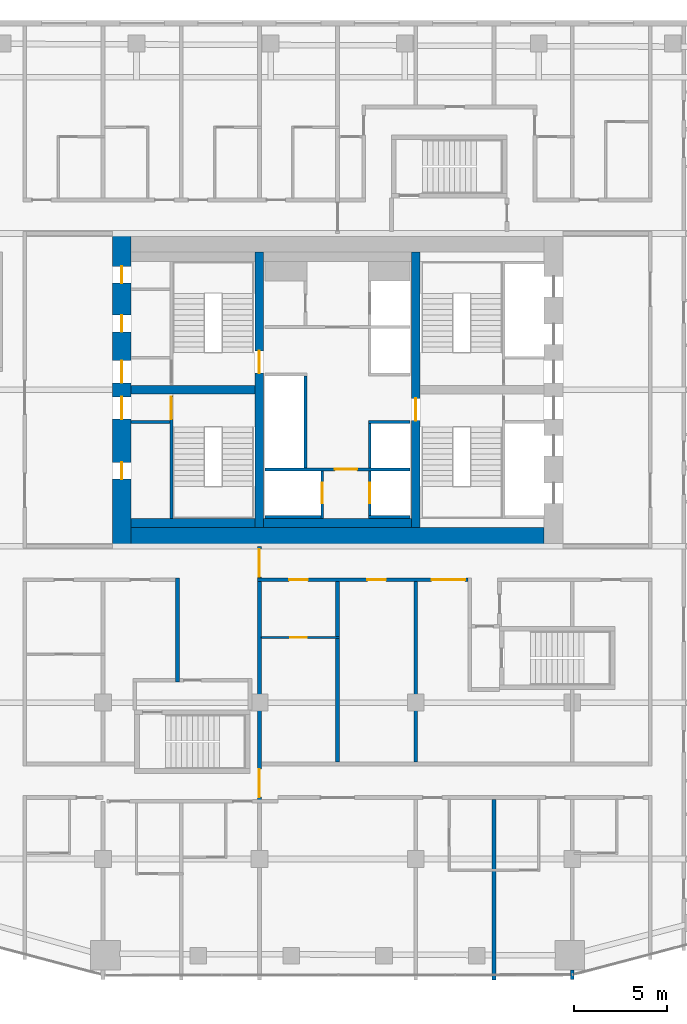
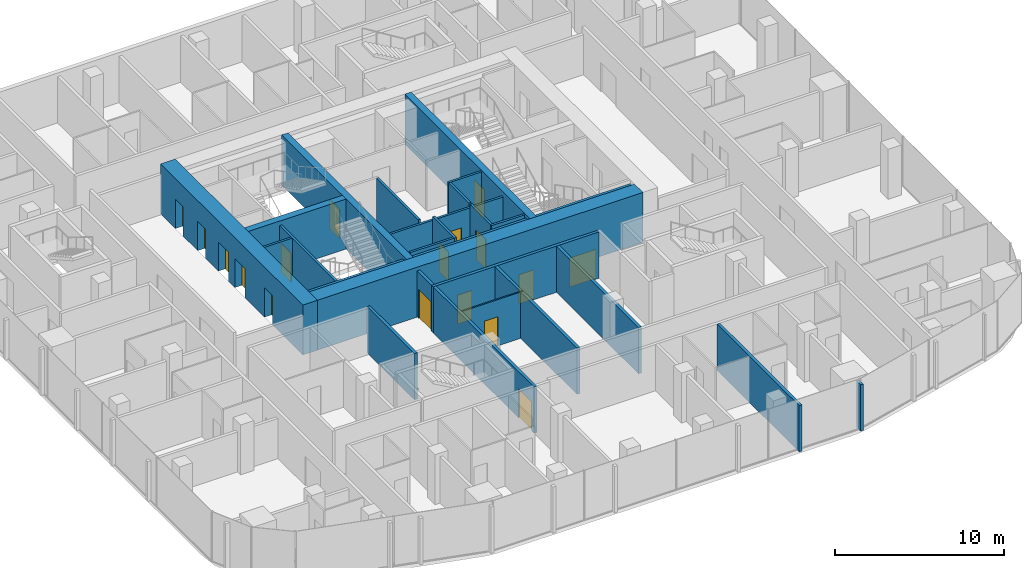
# One storey, part 15 of 23: 24 walls, 17 doors, 17 openings.
"""IFC4 building model written with IfcOpenShell, lengths in metres."""

from ifc_helpers import new_model, si_unit, direction, frame, frame_2d, origin, place, context, subcontext, project, spatial, rectangle, extrude, material, layer, layer_set, type_object, element, fill, save


model = new_model("IFC4")

# Units and contexts
model_context = context("Model", 3, precision=1e-05, world=origin(), true_north=direction((0.0, 1.0)))
body_context = subcontext(model_context, "Body", "Model", "MODEL_VIEW")
ifc_project = project(units=[si_unit("LENGTHUNIT", "METRE"), si_unit("AREAUNIT", "SQUARE_METRE"), si_unit("VOLUMEUNIT", "CUBIC_METRE"), si_unit("PLANEANGLEUNIT", "RADIAN"), si_unit("MASSUNIT", "GRAM", prefix="KILO")], contexts=[model_context])

# Site, building, storey
site_placement = place(None, origin())
site = spatial("IfcSite", under=ifc_project, at=site_placement, CompositionType="ELEMENT")
building_placement = place(site_placement, origin())
building = spatial("IfcBuilding", under=site, at=building_placement, Name="Marenta Gate Hotel Tower", CompositionType="ELEMENT")
storey_placement = place(building_placement, frame((0.0, 0.0, 119.300048828125)))
storey = spatial("IfcBuildingStorey", under=building, at=storey_placement, Name="L26", CompositionType="ELEMENT", Elevation=119.300048828125)

# Wall, openings, doors
ifc_material_1 = material(Name="Concrete blockwork", Category="masonry")
ifc_layer_1 = layer(ifc_material_1, 0.199951171875)
ifc_layer_set_1 = layer_set([ifc_layer_1], Name="Concrete blockwork")
wall_type_1 = type_object("IfcWallType", Name="Compartment wall 200 REI 180", PredefinedType="PARTITIONING", material=ifc_layer_set_1)
wall_1_placement = place(storey_placement, frame((-4.199951171875, -13.800048828125, 0.0), z_axis=(0.0, 0.0, 1.0), x_axis=(0.0, 1.0, 0.0)))
wall_1 = element("IfcWall", 1, at=wall_1_placement, inside=storey, type_object=wall_type_1, Name="L26-PTN-W072", PredefinedType="PARTITIONING", context=body_context, shape_type="SweptSolid", body=[
    extrude(rectangle(XDim=13.800048828125, YDim=0.199951171875, at=frame_2d((6.89990234375, 0.0))), origin(), (0.0, 0.0, 1.0), 3.33984375),
])
opening_1_placement = place(wall_1_placement, frame((12.14990234375, 0.0, 0.0)))
opening_1 = element("IfcOpeningElement", 2, at=opening_1_placement, cuts=wall_1, Name="Opening G09-FD2", PredefinedType="OPENING", context=body_context, shape_type="SweptSolid", body=[
    extrude(rectangle(XDim=1.5, YDim=2.10009765625, at=frame_2d((0.75, 1.050048828125))), frame((0.0, 0.10009765625, 0.0), z_axis=(0.0, -1.0, 0.0), x_axis=(1.0, 0.0, 0.0)), (0.0, 0.0, 1.0), 0.199951171875),
])
opening_2_placement = place(wall_1_placement, frame((0.324951171875, 0.0, 0.0)))
opening_2 = element("IfcOpeningElement", 3, at=opening_2_placement, cuts=wall_1, Name="Opening G09-FD3", PredefinedType="OPENING", context=body_context, shape_type="SweptSolid", body=[
    extrude(rectangle(XDim=1.5, YDim=2.10009765625, at=frame_2d((0.75, 1.050048828125))), frame((0.0, 0.10009765625, 0.0), z_axis=(0.0, -1.0, 0.0), x_axis=(1.0, 0.0, 0.0)), (0.0, 0.0, 1.0), 0.199951171875),
])
ifc_material_2 = material(Name="Hollow steel door set", Category="steel")
door_type_1 = type_object("IfcDoorType", Name="Compartment fire door 1500x2100 EI 60", OperationType="DOUBLE_DOOR_DOUBLE_SWING", PredefinedType="DOOR", material=ifc_material_2)
door_1_placement = place(opening_1_placement, origin())
door_1 = element("IfcDoor", 4, at=door_1_placement, inside=storey, type_object=door_type_1, Name="L26-PD-FD02", OperationType="DOUBLE_DOOR_DOUBLE_SWING", OverallHeight=2.10009765625, OverallWidth=1.5, PredefinedType="DOOR", context=body_context, shape_type="SweptSolid", body=[
    extrude(rectangle(XDim=1.5, YDim=2.10009765625, at=frame_2d((0.75, 1.050048828125))), frame((0.0, 0.02490234375, 0.0), z_axis=(0.0, -1.0, 0.0), x_axis=(1.0, 0.0, 0.0)), (0.0, 0.0, 1.0), 0.050048828125),
])
fill(opening_1, door_1)
door_2_placement = place(opening_2_placement, origin())
door_2 = element("IfcDoor", 5, at=door_2_placement, inside=storey, type_object=door_type_1, Name="L26-PD-FD03", OperationType="DOUBLE_DOOR_DOUBLE_SWING", OverallHeight=2.10009765625, OverallWidth=1.5, PredefinedType="DOOR", context=body_context, shape_type="SweptSolid", body=[
    extrude(rectangle(XDim=1.5, YDim=2.10009765625, at=frame_2d((0.75, 1.050048828125))), frame((0.0, 0.02490234375, 0.0), z_axis=(0.0, -1.0, 0.0), x_axis=(1.0, 0.0, 0.0)), (0.0, 0.0, 1.0), 0.050048828125),
])
fill(opening_2, door_2)

# Wall
ifc_material_3 = material(Name="Concrete C40", Category="concrete")
ifc_layer_2 = layer(ifc_material_3, 0.5)
ifc_layer_set_2 = layer_set([ifc_layer_2], Name="Concrete C40")
wall_type_2 = type_object("IfcWallType", Name="Core lining wall 500 REI 180", PredefinedType="PARTITIONING", material=ifc_layer_set_2)
wall_2_placement = place(storey_placement, frame((-11.10009765625, 1.25, 0.0), z_axis=(0.0, 0.0, 1.0), x_axis=(1.0, 0.0, 0.0)))
element("IfcWall", 6, at=wall_2_placement, inside=storey, type_object=wall_type_2, Name="L26-CP-LN-S", PredefinedType="PARTITIONING", context=body_context, shape_type="SweptSolid", body=[
    extrude(rectangle(XDim=22.2001953125, YDim=0.5, at=frame_2d((11.10009765625, 0.0))), origin(), (0.0, 0.0, 1.0), 3.33984375),
])

# Wall, opening, door
ifc_material_4 = material(Name="Concrete blockwork", Category="masonry")
ifc_layer_3 = layer(ifc_material_4, 0.14990234375)
ifc_layer_set_3 = layer_set([ifc_layer_3], Name="Concrete blockwork")
wall_type_3 = type_object("IfcWallType", Name="Core lobby partition 150 REI 180", PredefinedType="PARTITIONING", material=ifc_layer_set_3)
wall_3_placement = place(storey_placement, frame((-3.89990234375, 4.125, 0.0), z_axis=(0.0, 0.0, 1.0), x_axis=(1.0, 0.0, 0.0)))
wall_3 = element("IfcWall", 7, at=wall_3_placement, inside=storey, type_object=wall_type_3, Name="L26-CP-CW-S", PredefinedType="PARTITIONING", context=body_context, shape_type="SweptSolid", body=[
    extrude(rectangle(XDim=7.7998046875, YDim=0.14990234375, at=frame_2d((3.89990234375, 0.0))), origin(), (0.0, 0.0, 1.0), 3.33984375),
])
opening_3_placement = place(wall_3_placement, frame((3.75, 0.0, 0.0)))
opening_3 = element("IfcOpeningElement", 8, at=opening_3_placement, cuts=wall_3, Name="Opening FD-FFS", PredefinedType="OPENING", context=body_context, shape_type="SweptSolid", body=[
    extrude(rectangle(XDim=1.199951171875, YDim=2.10009765625, at=frame_2d((0.60009765625, 1.050048828125))), frame((0.0, 0.074951171875, 0.0), z_axis=(0.0, -1.0, 0.0), x_axis=(1.0, 0.0, 0.0)), (0.0, 0.0, 1.0), 0.14990234375),
])
ifc_material_5 = material(Name="Steel", Category="steel")
door_type_2 = type_object("IfcDoorType", Name="Core lobby door 1200x2100 FD60", OperationType="SINGLE_SWING_LEFT", PredefinedType="DOOR", material=ifc_material_5)
door_3_placement = place(opening_3_placement, origin())
door_3 = element("IfcDoor", 9, at=door_3_placement, inside=storey, type_object=door_type_2, Name="FD-FFS", OperationType="SINGLE_SWING_LEFT", OverallHeight=2.10009765625, OverallWidth=1.199951171875, PredefinedType="DOOR", context=body_context, shape_type="SweptSolid", body=[
    extrude(rectangle(XDim=1.199951171875, YDim=2.10009765625, at=frame_2d((0.60009765625, 1.050048828125))), frame((0.0, 0.02490234375, 0.0), z_axis=(0.0, -1.0, 0.0), x_axis=(1.0, 0.0, 0.0)), (0.0, 0.0, 1.0), 0.050048828125),
])
fill(opening_3, door_3)

# Wall
ifc_material_6 = material(Name="Concrete blockwork", Category="masonry")
ifc_layer_4 = layer(ifc_material_6, 0.14990234375)
ifc_layer_set_4 = layer_set([ifc_layer_4], Name="Concrete blockwork")
wall_type_4 = type_object("IfcWallType", Name="Core room partition 150 REI 180", PredefinedType="PARTITIONING", material=ifc_layer_set_4)
wall_4_placement = place(storey_placement, frame((-11.10009765625, 6.675048828125, 0.0), z_axis=(0.0, 0.0, 1.0), x_axis=(1.0, 0.0, 0.0)))
element("IfcWall", 10, at=wall_4_placement, inside=storey, type_object=wall_type_4, Name="L26-CP-SW-WS-2", PredefinedType="PARTITIONING", context=body_context, shape_type="SweptSolid", body=[
    extrude(rectangle(XDim=2.10009765625, YDim=0.14990234375, at=frame_2d((1.050048828125, 0.0))), origin(), (0.0, 0.0, 1.0), 3.33984375),
])

# Wall, opening, door
ifc_material_7 = material(Name="Concrete C40", Category="concrete")
ifc_layer_5 = layer(ifc_material_7, 0.14990234375)
ifc_layer_set_5 = layer_set([ifc_layer_5], Name="Concrete C40")
wall_type_5 = type_object("IfcWallType", Name="Core shaft wall 150 REI 180", PredefinedType="SHEAR", material=ifc_layer_set_5)
wall_5_placement = place(storey_placement, frame((-0.824951171875, 1.5, 0.0), z_axis=(0.0, 0.0, 1.0), x_axis=(0.0, 1.0, 0.0)))
wall_5 = element("IfcWall", 11, at=wall_5_placement, inside=storey, type_object=wall_type_5, Name="L26-SHF-CW-W-ff", PredefinedType="SHEAR", context=body_context, shape_type="SweptSolid", body=[
    extrude(rectangle(XDim=2.550048828125, YDim=0.14990234375, at=frame_2d((1.27490234375, 0.0))), origin(), (0.0, 0.0, 1.0), 3.599853515625),
])
opening_4_placement = place(wall_5_placement, frame((0.800048828125, 0.0, 0.0)))
opening_4 = element("IfcOpeningElement", 12, at=opening_4_placement, cuts=wall_5, Name="Opening LD-FF1", PredefinedType="OPENING", context=body_context, shape_type="SweptSolid", body=[
    extrude(rectangle(XDim=1.10009765625, YDim=2.10009765625, at=frame_2d((0.550048828125, 1.050048828125))), frame((0.0, 0.074951171875, 0.0), z_axis=(0.0, -1.0, 0.0), x_axis=(1.0, 0.0, 0.0)), (0.0, 0.0, 1.0), 0.14990234375),
])
ifc_material_8 = material(Name="Steel", Category="steel")
door_type_3 = type_object("IfcDoorType", Name="Core lift landing door 1100x2100 E 60", OperationType="SLIDING_TO_LEFT", PredefinedType="DOOR", material=ifc_material_8)
door_4_placement = place(opening_4_placement, origin())
door_4 = element("IfcDoor", 13, at=door_4_placement, inside=storey, type_object=door_type_3, Name="LD-FF1", OperationType="SLIDING_TO_LEFT", OverallHeight=2.10009765625, OverallWidth=1.10009765625, PredefinedType="DOOR", context=body_context, shape_type="SweptSolid", body=[
    extrude(rectangle(XDim=1.10009765625, YDim=2.10009765625, at=frame_2d((0.550048828125, 1.050048828125))), frame((0.0, 0.02490234375, 0.0), z_axis=(0.0, -1.0, 0.0), x_axis=(1.0, 0.0, 0.0)), (0.0, 0.0, 1.0), 0.050048828125),
])
fill(opening_4, door_4)

# Walls
wall_6_placement = place(storey_placement, frame((-3.89990234375, 1.574951171875, 0.0), z_axis=(0.0, 0.0, 1.0), x_axis=(1.0, 0.0, 0.0)))
element("IfcWall", 14, at=wall_6_placement, inside=storey, type_object=wall_type_5, Name="L26-SHF-CW-W-ffs", PredefinedType="SHEAR", context=body_context, shape_type="SweptSolid", body=[
    extrude(rectangle(XDim=3.0, YDim=0.14990234375, at=frame_2d((1.5, 0.0))), origin(), (0.0, 0.0, 1.0), 3.599853515625),
])
wall_7_placement = place(storey_placement, frame((-1.72509765625, 4.199951171875, 0.0), z_axis=(0.0, 0.0, 1.0), x_axis=(0.0, 1.0, 0.0)))
element("IfcWall", 15, at=wall_7_placement, inside=storey, type_object=wall_type_5, Name="L26-SHF-CW-W-front", PredefinedType="SHEAR", context=body_context, shape_type="SweptSolid", body=[
    extrude(rectangle(XDim=4.949951171875, YDim=0.14990234375, at=frame_2d((2.47509765625, 0.0))), origin(), (0.0, 0.0, 1.0), 3.599853515625),
])

# Wall, opening, door
wall_8_placement = place(storey_placement, frame((1.72509765625, 1.64990234375, 0.0), z_axis=(0.0, 0.0, 1.0), x_axis=(0.0, 1.0, 0.0)))
wall_8 = element("IfcWall", 16, at=wall_8_placement, inside=storey, type_object=wall_type_5, Name="L26-SHF-CE-S-ls", PredefinedType="SHEAR", context=body_context, shape_type="SweptSolid", body=[
    extrude(rectangle(XDim=2.400146484375, YDim=0.14990234375, at=frame_2d((1.2001953125, 0.0))), origin(), (0.0, 0.0, 1.0), 3.599853515625),
])
opening_5_placement = place(wall_8_placement, frame((0.64990234375, 0.0, 0.0)))
opening_5 = element("IfcOpeningElement", 17, at=opening_5_placement, cuts=wall_8, Name="Opening LD-SV1", PredefinedType="OPENING", context=body_context, shape_type="SweptSolid", body=[
    extrude(rectangle(XDim=1.10009765625, YDim=2.10009765625, at=frame_2d((0.550048828125, 1.050048828125))), frame((0.0, 0.074951171875, 0.0), z_axis=(0.0, -1.0, 0.0), x_axis=(1.0, 0.0, 0.0)), (0.0, 0.0, 1.0), 0.14990234375),
])
door_5_placement = place(opening_5_placement, origin())
door_5 = element("IfcDoor", 18, at=door_5_placement, inside=storey, type_object=door_type_3, Name="LD-SV1", OperationType="SLIDING_TO_LEFT", OverallHeight=2.10009765625, OverallWidth=1.10009765625, PredefinedType="DOOR", context=body_context, shape_type="SweptSolid", body=[
    extrude(rectangle(XDim=1.10009765625, YDim=2.10009765625, at=frame_2d((0.550048828125, 1.050048828125))), frame((0.0, 0.02490234375, 0.0), z_axis=(0.0, -1.0, 0.0), x_axis=(1.0, 0.0, 0.0)), (0.0, 0.0, 1.0), 0.050048828125),
])
fill(opening_5, door_5)

# Walls
for number, where, z_axis, x_axis, name in (
    (19, (1.64990234375, 1.574951171875, 0.0), (0.0, 0.0, 1.0), (1.0, 0.0, 0.0), "L26-SHF-CE-S-bot"),
    (20, (1.64990234375, 6.675048828125, 0.0), (0.0, 0.0, 1.0), (1.0, 0.0, 0.0), "L26-SHF-CE-sep1"),
):
    element("IfcWall", number, at=place(storey_placement, frame(where, z_axis=z_axis, x_axis=x_axis)), inside=storey, type_object=wall_type_5, Name=name, PredefinedType="SHEAR", context=body_context, shape_type="SweptSolid", body=[
        extrude(rectangle(XDim=2.25, YDim=0.14990234375, at=frame_2d((1.125, 0.0))), origin(), (0.0, 0.0, 1.0), 3.599853515625),
    ])
wall_9_placement = place(storey_placement, frame((1.72509765625, 4.199951171875, 0.0), z_axis=(0.0, 0.0, 1.0), x_axis=(0.0, 1.0, 0.0)))
element("IfcWall", 21, at=wall_9_placement, inside=storey, type_object=wall_type_5, Name="L26-SHF-CE-front-1", PredefinedType="SHEAR", context=body_context, shape_type="SweptSolid", body=[
    extrude(rectangle(XDim=2.400146484375, YDim=0.14990234375, at=frame_2d((1.2001953125, 0.0))), origin(), (0.0, 0.0, 1.0), 3.599853515625),
])

# Wall, opening, door
ifc_material_9 = material(Name="Concrete C40", Category="concrete")
ifc_layer_6 = layer(ifc_material_9, 0.14990234375)
ifc_layer_set_6 = layer_set([ifc_layer_6], Name="Concrete C40")
wall_type_6 = type_object("IfcWallType", Name="Core stair enclosure wall 150 REI 180", PredefinedType="SHEAR", material=ifc_layer_set_6)
wall_10_placement = place(storey_placement, frame((-8.925048828125, 1.5, 0.0), z_axis=(0.0, 0.0, 1.0), x_axis=(0.0, 1.0, 0.0)))
wall_10 = element("IfcWall", 22, at=wall_10_placement, inside=storey, type_object=wall_type_6, Name="L26-SHF-SW-WS-3", PredefinedType="SHEAR", context=body_context, shape_type="SweptSolid", body=[
    extrude(rectangle(XDim=6.60009765625, YDim=0.14990234375, at=frame_2d((3.300048828125, 0.0))), origin(), (0.0, 0.0, 1.0), 3.33984375),
])
opening_6_placement = place(wall_10_placement, frame((5.324951171875, 0.0, 0.0)))
opening_6 = element("IfcOpeningElement", 23, at=opening_6_placement, cuts=wall_10, Name="Opening SD-WS", PredefinedType="OPENING", context=body_context, shape_type="SweptSolid", body=[
    extrude(rectangle(XDim=1.199951171875, YDim=2.10009765625, at=frame_2d((0.60009765625, 1.050048828125))), frame((0.0, 0.074951171875, 0.0), z_axis=(0.0, -1.0, 0.0), x_axis=(1.0, 0.0, 0.0)), (0.0, 0.0, 1.0), 0.14990234375),
])
ifc_material_10 = material(Name="Steel", Category="steel")
door_type_4 = type_object("IfcDoorType", Name="Core stair door 1200x2100 FD60", OperationType="SINGLE_SWING_LEFT", PredefinedType="DOOR", material=ifc_material_10)
door_6_placement = place(opening_6_placement, origin())
door_6 = element("IfcDoor", 24, at=door_6_placement, inside=storey, type_object=door_type_4, Name="SD-WS", OperationType="SINGLE_SWING_LEFT", OverallHeight=2.10009765625, OverallWidth=1.199951171875, PredefinedType="DOOR", context=body_context, shape_type="SweptSolid", body=[
    extrude(rectangle(XDim=1.199951171875, YDim=2.10009765625, at=frame_2d((0.60009765625, 1.050048828125))), frame((0.0, 0.02490234375, 0.0), z_axis=(0.0, -1.0, 0.0), x_axis=(1.0, 0.0, 0.0)), (0.0, 0.0, 1.0), 0.050048828125),
])
fill(opening_6, door_6)

# Wall, openings, doors
ifc_material_11 = material(Name="Concrete C70", Category="concrete")
ifc_layer_7 = layer(ifc_material_11, 1.0)
ifc_layer_set_7 = layer_set([ifc_layer_7], Name="Concrete C70")
wall_type_7 = type_object("IfcWallType", Name="Core wall 1000 C70", PredefinedType="SHEAR", material=ifc_layer_set_7)
wall_11_placement = place(storey_placement, frame((-11.60009765625, 0.0, 0.0), z_axis=(0.0, 0.0, 1.0), x_axis=(0.0, 1.0, 0.0)))
wall_11 = element("IfcWall", 25, at=wall_11_placement, inside=storey, type_object=wall_type_7, Name="L26-CORE-W", PredefinedType="SHEAR", context=body_context, shape_type="SweptSolid", body=[
    extrude(rectangle(XDim=16.800048828125, YDim=1.0, at=frame_2d((8.39990234375, 0.0))), origin(), (0.0, 0.0, 1.0), 3.599853515625),
])
opening_7_placement = place(wall_11_placement, frame((3.60009765625, 0.0, 0.0)))
opening_7 = element("IfcOpeningElement", 26, at=opening_7_placement, cuts=wall_11, Name="Opening RD-WS-1", PredefinedType="OPENING", context=body_context, shape_type="SweptSolid", body=[
    extrude(rectangle(XDim=0.89990234375, YDim=2.10009765625, at=frame_2d((0.449951171875, 1.050048828125))), frame((0.0, 0.5, 0.0), z_axis=(0.0, -1.0, 0.0), x_axis=(1.0, 0.0, 0.0)), (0.0, 0.0, 1.0), 1.0),
])
opening_8_placement = place(wall_11_placement, frame((6.824951171875, 0.0, 0.0)))
opening_8 = element("IfcOpeningElement", 27, at=opening_8_placement, cuts=wall_11, Name="Opening PD-WS", PredefinedType="OPENING", context=body_context, shape_type="SweptSolid", body=[
    extrude(rectangle(XDim=1.199951171875, YDim=2.10009765625, at=frame_2d((0.60009765625, 1.050048828125))), frame((0.0, 0.5, 0.0), z_axis=(0.0, -1.0, 0.0), x_axis=(1.0, 0.0, 0.0)), (0.0, 0.0, 1.0), 1.0),
])
opening_9_placement = place(wall_11_placement, frame((14.137451171875, 0.0, 0.0)))
opening_9 = element("IfcOpeningElement", 28, at=opening_9_placement, cuts=wall_11, Name="Opening RD-WN-1", PredefinedType="OPENING", context=body_context, shape_type="SweptSolid", body=[
    extrude(rectangle(XDim=0.89990234375, YDim=2.10009765625, at=frame_2d((0.449951171875, 1.050048828125))), frame((0.0, 0.5, 0.0), z_axis=(0.0, -1.0, 0.0), x_axis=(1.0, 0.0, 0.0)), (0.0, 0.0, 1.0), 1.0),
])
opening_10_placement = place(wall_11_placement, frame((11.512451171875, 0.0, 0.0)))
opening_10 = element("IfcOpeningElement", 29, at=opening_10_placement, cuts=wall_11, Name="Opening RD-WN-2", PredefinedType="OPENING", context=body_context, shape_type="SweptSolid", body=[
    extrude(rectangle(XDim=0.89990234375, YDim=2.10009765625, at=frame_2d((0.449951171875, 1.050048828125))), frame((0.0, 0.5, 0.0), z_axis=(0.0, -1.0, 0.0), x_axis=(1.0, 0.0, 0.0)), (0.0, 0.0, 1.0), 1.0),
])
opening_11_placement = place(wall_11_placement, frame((8.77490234375, 0.0, 0.0)))
opening_11 = element("IfcOpeningElement", 30, at=opening_11_placement, cuts=wall_11, Name="Opening PD-WN", PredefinedType="OPENING", context=body_context, shape_type="SweptSolid", body=[
    extrude(rectangle(XDim=1.199951171875, YDim=2.10009765625, at=frame_2d((0.60009765625, 1.050048828125))), frame((0.0, 0.5, 0.0), z_axis=(0.0, -1.0, 0.0), x_axis=(1.0, 0.0, 0.0)), (0.0, 0.0, 1.0), 1.0),
])
door_7_placement = place(opening_8_placement, origin())
door_7 = element("IfcDoor", 31, at=door_7_placement, inside=storey, type_object=door_type_2, Name="PD-WS", OperationType="SINGLE_SWING_LEFT", OverallHeight=2.10009765625, OverallWidth=1.199951171875, PredefinedType="DOOR", context=body_context, shape_type="SweptSolid", body=[
    extrude(rectangle(XDim=1.199951171875, YDim=2.10009765625, at=frame_2d((0.60009765625, 1.050048828125))), frame((0.0, 0.02490234375, 0.0), z_axis=(0.0, -1.0, 0.0), x_axis=(1.0, 0.0, 0.0)), (0.0, 0.0, 1.0), 0.050048828125),
])
fill(opening_8, door_7)
door_8_placement = place(opening_11_placement, origin())
door_8 = element("IfcDoor", 32, at=door_8_placement, inside=storey, type_object=door_type_2, Name="PD-WN", OperationType="SINGLE_SWING_LEFT", OverallHeight=2.10009765625, OverallWidth=1.199951171875, PredefinedType="DOOR", context=body_context, shape_type="SweptSolid", body=[
    extrude(rectangle(XDim=1.199951171875, YDim=2.10009765625, at=frame_2d((0.60009765625, 1.050048828125))), frame((0.0, 0.02490234375, 0.0), z_axis=(0.0, -1.0, 0.0), x_axis=(1.0, 0.0, 0.0)), (0.0, 0.0, 1.0), 0.050048828125),
])
fill(opening_11, door_8)
ifc_material_12 = material(Name="Steel", Category="steel")
door_type_5 = type_object("IfcDoorType", Name="Core service room door 900x2100 FD30S", OperationType="SINGLE_SWING_LEFT", PredefinedType="DOOR", material=ifc_material_12)
door_9_placement = place(opening_7_placement, origin())
door_9 = element("IfcDoor", 33, at=door_9_placement, inside=storey, type_object=door_type_5, Name="RD-WS-1", OperationType="SINGLE_SWING_LEFT", OverallHeight=2.10009765625, OverallWidth=0.89990234375, PredefinedType="DOOR", context=body_context, shape_type="SweptSolid", body=[
    extrude(rectangle(XDim=0.89990234375, YDim=2.10009765625, at=frame_2d((0.449951171875, 1.050048828125))), frame((0.0, 0.02490234375, 0.0), z_axis=(0.0, -1.0, 0.0), x_axis=(1.0, 0.0, 0.0)), (0.0, 0.0, 1.0), 0.050048828125),
])
fill(opening_7, door_9)
door_10_placement = place(opening_9_placement, origin())
door_10 = element("IfcDoor", 34, at=door_10_placement, inside=storey, type_object=door_type_5, Name="RD-WN-1", OperationType="SINGLE_SWING_LEFT", OverallHeight=2.10009765625, OverallWidth=0.89990234375, PredefinedType="DOOR", context=body_context, shape_type="SweptSolid", body=[
    extrude(rectangle(XDim=0.89990234375, YDim=2.10009765625, at=frame_2d((0.449951171875, 1.050048828125))), frame((0.0, 0.02490234375, 0.0), z_axis=(0.0, -1.0, 0.0), x_axis=(1.0, 0.0, 0.0)), (0.0, 0.0, 1.0), 0.050048828125),
])
fill(opening_9, door_10)
door_11_placement = place(opening_10_placement, origin())
door_11 = element("IfcDoor", 35, at=door_11_placement, inside=storey, type_object=door_type_5, Name="RD-WN-2", OperationType="SINGLE_SWING_LEFT", OverallHeight=2.10009765625, OverallWidth=0.89990234375, PredefinedType="DOOR", context=body_context, shape_type="SweptSolid", body=[
    extrude(rectangle(XDim=0.89990234375, YDim=2.10009765625, at=frame_2d((0.449951171875, 1.050048828125))), frame((0.0, 0.02490234375, 0.0), z_axis=(0.0, -1.0, 0.0), x_axis=(1.0, 0.0, 0.0)), (0.0, 0.0, 1.0), 0.050048828125),
])
fill(opening_10, door_11)

# Wall
wall_12_placement = place(storey_placement, frame((-11.10009765625, 0.5, 0.0), z_axis=(0.0, 0.0, 1.0), x_axis=(1.0, 0.0, 0.0)))
element("IfcWall", 36, at=wall_12_placement, inside=storey, type_object=wall_type_7, Name="L26-CORE-S", PredefinedType="SHEAR", context=body_context, shape_type="SweptSolid", body=[
    extrude(rectangle(XDim=22.2001953125, YDim=1.0, at=frame_2d((11.10009765625, 0.0))), origin(), (0.0, 0.0, 1.0), 3.599853515625),
])

# Wall, opening, door
ifc_material_13 = material(Name="Concrete C70", Category="concrete")
ifc_layer_8 = layer(ifc_material_13, 0.449951171875)
ifc_layer_set_8 = layer_set([ifc_layer_8], Name="Concrete C70")
wall_type_8 = type_object("IfcWallType", Name="Core web 450 C70", PredefinedType="SHEAR", material=ifc_layer_set_8)
wall_13_placement = place(storey_placement, frame((-4.199951171875, 1.0, 0.0), z_axis=(0.0, 0.0, 1.0), x_axis=(0.0, 1.0, 0.0)))
wall_13 = element("IfcWall", 37, at=wall_13_placement, inside=storey, type_object=wall_type_8, Name="L26-CORE-W1", PredefinedType="SHEAR", context=body_context, shape_type="SweptSolid", body=[
    extrude(rectangle(XDim=14.800048828125, YDim=0.449951171875, at=frame_2d((7.39990234375, 0.0))), origin(), (0.0, 0.0, 1.0), 3.599853515625),
])
opening_12_placement = place(wall_13_placement, frame((8.300048828125, 0.0, 0.0)))
opening_12 = element("IfcOpeningElement", 38, at=opening_12_placement, cuts=wall_13, Name="Opening WD-W", PredefinedType="OPENING", context=body_context, shape_type="SweptSolid", body=[
    extrude(rectangle(XDim=1.199951171875, YDim=2.10009765625, at=frame_2d((0.60009765625, 1.050048828125))), frame((0.0, 0.22509765625, 0.0), z_axis=(0.0, -1.0, 0.0), x_axis=(1.0, 0.0, 0.0)), (0.0, 0.0, 1.0), 0.449951171875),
])
door_12_placement = place(opening_12_placement, origin())
door_12 = element("IfcDoor", 39, at=door_12_placement, inside=storey, type_object=door_type_4, Name="WD-W", OperationType="SINGLE_SWING_LEFT", OverallHeight=2.10009765625, OverallWidth=1.199951171875, PredefinedType="DOOR", context=body_context, shape_type="SweptSolid", body=[
    extrude(rectangle(XDim=1.199951171875, YDim=2.10009765625, at=frame_2d((0.60009765625, 1.050048828125))), frame((0.0, 0.02490234375, 0.0), z_axis=(0.0, -1.0, 0.0), x_axis=(1.0, 0.0, 0.0)), (0.0, 0.0, 1.0), 0.050048828125),
])
fill(opening_12, door_12)

wall_14_placement = place(storey_placement, frame((4.199951171875, 1.0, 0.0), z_axis=(0.0, 0.0, 1.0), x_axis=(0.0, 1.0, 0.0)))
wall_14 = element("IfcWall", 40, at=wall_14_placement, inside=storey, type_object=wall_type_8, Name="L26-CORE-W2", PredefinedType="SHEAR", context=body_context, shape_type="SweptSolid", body=[
    extrude(rectangle(XDim=14.800048828125, YDim=0.449951171875, at=frame_2d((7.39990234375, 0.0))), origin(), (0.0, 0.0, 1.0), 3.599853515625),
])
opening_13_placement = place(wall_14_placement, frame((5.75, 0.0, 0.0)))
opening_13 = element("IfcOpeningElement", 41, at=opening_13_placement, cuts=wall_14, Name="Opening WD-E", PredefinedType="OPENING", context=body_context, shape_type="SweptSolid", body=[
    extrude(rectangle(XDim=1.199951171875, YDim=2.10009765625, at=frame_2d((0.60009765625, 1.050048828125))), frame((0.0, 0.22509765625, 0.0), z_axis=(0.0, -1.0, 0.0), x_axis=(1.0, 0.0, 0.0)), (0.0, 0.0, 1.0), 0.449951171875),
])
door_13_placement = place(opening_13_placement, origin())
door_13 = element("IfcDoor", 42, at=door_13_placement, inside=storey, type_object=door_type_4, Name="WD-E", OperationType="SINGLE_SWING_LEFT", OverallHeight=2.10009765625, OverallWidth=1.199951171875, PredefinedType="DOOR", context=body_context, shape_type="SweptSolid", body=[
    extrude(rectangle(XDim=1.199951171875, YDim=2.10009765625, at=frame_2d((0.60009765625, 1.050048828125))), frame((0.0, 0.02490234375, 0.0), z_axis=(0.0, -1.0, 0.0), x_axis=(1.0, 0.0, 0.0)), (0.0, 0.0, 1.0), 0.050048828125),
])
fill(opening_13, door_13)

# Wall
wall_15_placement = place(storey_placement, frame((-11.10009765625, 8.39990234375, 0.0), z_axis=(0.0, 0.0, 1.0), x_axis=(1.0, 0.0, 0.0)))
element("IfcWall", 43, at=wall_15_placement, inside=storey, type_object=wall_type_8, Name="L26-CORE-W3", PredefinedType="SHEAR", context=body_context, shape_type="SweptSolid", body=[
    extrude(rectangle(XDim=6.675048828125, YDim=0.449951171875, at=frame_2d((3.33740234375, 0.0))), origin(), (0.0, 0.0, 1.0), 3.599853515625),
])

# Wall, openings, doors
ifc_material_14 = material(Name="Concrete blockwork", Category="masonry")
ifc_layer_9 = layer(ifc_material_14, 0.199951171875)
ifc_layer_set_9 = layer_set([ifc_layer_9], Name="Concrete blockwork")
wall_type_9 = type_object("IfcWallType", Name="Room corridor wall 200 EI 120", PredefinedType="PARTITIONING", material=ifc_layer_set_9)
wall_16_placement = place(storey_placement, frame((-4.300048828125, -1.800048828125, 0.0), z_axis=(0.0, 0.0, 1.0), x_axis=(1.0, 0.0, 0.0)))
wall_16 = element("IfcWall", 44, at=wall_16_placement, inside=storey, type_object=wall_type_9, Name="L26-PTN-W060", PredefinedType="PARTITIONING", context=body_context, shape_type="SweptSolid", body=[
    extrude(rectangle(XDim=11.300048828125, YDim=0.199951171875, at=frame_2d((5.64990234375, 0.0))), origin(), (0.0, 0.0, 1.0), 3.33984375),
])
opening_14_placement = place(wall_16_placement, frame((1.699951171875, 0.0, 0.0)))
opening_14 = element("IfcOpeningElement", 45, at=opening_14_placement, cuts=wall_16, Name="Opening G09-04", PredefinedType="OPENING", context=body_context, shape_type="SweptSolid", body=[
    extrude(rectangle(XDim=1.0, YDim=2.10009765625, at=frame_2d((0.5, 1.050048828125))), frame((0.0, 0.10009765625, 0.0), z_axis=(0.0, -1.0, 0.0), x_axis=(1.0, 0.0, 0.0)), (0.0, 0.0, 1.0), 0.199951171875),
])
opening_15_placement = place(wall_16_placement, frame((5.89990234375, 0.0, 0.0)))
opening_15 = element("IfcOpeningElement", 46, at=opening_15_placement, cuts=wall_16, Name="Opening G09-06", PredefinedType="OPENING", context=body_context, shape_type="SweptSolid", body=[
    extrude(rectangle(XDim=1.0, YDim=2.10009765625, at=frame_2d((0.5, 1.050048828125))), frame((0.0, 0.10009765625, 0.0), z_axis=(0.0, -1.0, 0.0), x_axis=(1.0, 0.0, 0.0)), (0.0, 0.0, 1.0), 0.199951171875),
])
opening_16_placement = place(wall_16_placement, frame((9.35009765625, 0.0, 0.0)))
opening_16 = element("IfcOpeningElement", 47, at=opening_16_placement, cuts=wall_16, Name="Opening G09-07", PredefinedType="OPENING", context=body_context, shape_type="SweptSolid", body=[
    extrude(rectangle(XDim=1.800048828125, YDim=2.10009765625, at=frame_2d((0.89990234375, 1.050048828125))), frame((0.0, 0.10009765625, 0.0), z_axis=(0.0, -1.0, 0.0), x_axis=(1.0, 0.0, 0.0)), (0.0, 0.0, 1.0), 0.199951171875),
])
ifc_material_15 = material(Name="Timber door leaf", Category="wood")
door_type_6 = type_object("IfcDoorType", Name="Room amenity door 1000x2100 EI 60", OperationType="NOTDEFINED", PredefinedType="DOOR", material=ifc_material_15)
door_14_placement = place(opening_15_placement, origin())
door_14 = element("IfcDoor", 48, at=door_14_placement, inside=storey, type_object=door_type_6, Name="L26-PD-D006", OperationType="SINGLE_SWING_RIGHT", OverallHeight=2.10009765625, OverallWidth=1.0, PredefinedType="DOOR", context=body_context, shape_type="SweptSolid", body=[
    extrude(rectangle(XDim=1.0, YDim=2.10009765625, at=frame_2d((0.5, 1.050048828125))), frame((0.0, 0.02490234375, 0.0), z_axis=(0.0, -1.0, 0.0), x_axis=(1.0, 0.0, 0.0)), (0.0, 0.0, 1.0), 0.050048828125),
])
fill(opening_15, door_14)
ifc_material_16 = material(Name="Timber door leaf", Category="wood")
door_type_7 = type_object("IfcDoorType", Name="Room amenity door 1800x2100 EI 60", OperationType="DOUBLE_DOOR_SINGLE_SWING", PredefinedType="DOOR", material=ifc_material_16)
door_15_placement = place(opening_16_placement, origin())
door_15 = element("IfcDoor", 49, at=door_15_placement, inside=storey, type_object=door_type_7, Name="L26-PD-D007", OperationType="DOUBLE_DOOR_SINGLE_SWING", OverallHeight=2.10009765625, OverallWidth=1.800048828125, PredefinedType="DOOR", context=body_context, shape_type="SweptSolid", body=[
    extrude(rectangle(XDim=1.800048828125, YDim=2.10009765625, at=frame_2d((0.89990234375, 1.050048828125))), frame((0.0, 0.02490234375, 0.0), z_axis=(0.0, -1.0, 0.0), x_axis=(1.0, 0.0, 0.0)), (0.0, 0.0, 1.0), 0.050048828125),
])
fill(opening_16, door_15)
ifc_material_17 = material(Name="Hollow steel door set", Category="steel")
door_type_8 = type_object("IfcDoorType", Name="Room service door 1000x2100 EI 60", OperationType="NOTDEFINED", PredefinedType="DOOR", material=ifc_material_17)
door_16_placement = place(opening_14_placement, origin())
door_16 = element("IfcDoor", 50, at=door_16_placement, inside=storey, type_object=door_type_8, Name="L26-PD-D004", OperationType="SINGLE_SWING_RIGHT", OverallHeight=2.10009765625, OverallWidth=1.0, PredefinedType="DOOR", context=body_context, shape_type="SweptSolid", body=[
    extrude(rectangle(XDim=1.0, YDim=2.10009765625, at=frame_2d((0.5, 1.050048828125))), frame((0.0, 0.02490234375, 0.0), z_axis=(0.0, -1.0, 0.0), x_axis=(1.0, 0.0, 0.0)), (0.0, 0.0, 1.0), 0.050048828125),
])
fill(opening_14, door_16)

# Wall
ifc_material_18 = material(Name="Gypsum board on steel stud", Category="steel")
ifc_layer_10 = layer(ifc_material_18, 0.199951171875)
ifc_layer_set_10 = layer_set([ifc_layer_10], Name="Gypsum board on steel stud")
wall_type_10 = type_object("IfcWallType", Name="Room corridor wall 200 EI 60", PredefinedType="PARTITIONING", material=ifc_layer_set_10)
wall_17_placement = place(storey_placement, frame((-8.60009765625, -7.300048828125, 0.0), z_axis=(0.0, 0.0, 1.0), x_axis=(0.0, 1.0, 0.0)))
element("IfcWall", 51, at=wall_17_placement, inside=storey, type_object=wall_type_10, Name="L26-PTN-W084", PredefinedType="PARTITIONING", context=body_context, shape_type="SweptSolid", body=[
    extrude(rectangle(XDim=5.60009765625, YDim=0.199951171875, at=frame_2d((2.800048828125, 0.0))), origin(), (0.0, 0.0, 1.0), 3.33984375),
])

# Wall, opening, door
ifc_material_19 = material(Name="Gypsum board on steel stud", Category="steel")
ifc_layer_11 = layer(ifc_material_19, 0.10009765625)
ifc_layer_set_11 = layer_set([ifc_layer_11], Name="Gypsum board on steel stud")
wall_type_11 = type_object("IfcWallType", Name="Room partition 100", PredefinedType="PARTITIONING", material=ifc_layer_set_11)
wall_18_placement = place(storey_placement, frame((-4.10009765625, -4.89990234375, 0.0), z_axis=(0.0, 0.0, 1.0), x_axis=(1.0, 0.0, 0.0)))
wall_18 = element("IfcWall", 52, at=wall_18_placement, inside=storey, type_object=wall_type_11, Name="L26-PTN-W051", PredefinedType="PARTITIONING", context=body_context, shape_type="SweptSolid", body=[
    extrude(rectangle(XDim=4.2001953125, YDim=0.10009765625, at=frame_2d((2.10009765625, 0.0))), origin(), (0.0, 0.0, 1.0), 3.33984375),
])
opening_17_placement = place(wall_18_placement, frame((1.550048828125, 0.0, 0.0)))
opening_17 = element("IfcOpeningElement", 53, at=opening_17_placement, cuts=wall_18, Name="Opening G09-05", PredefinedType="OPENING", context=body_context, shape_type="SweptSolid", body=[
    extrude(rectangle(XDim=0.89990234375, YDim=2.10009765625, at=frame_2d((0.449951171875, 1.050048828125))), frame((0.0, 0.050048828125, 0.0), z_axis=(0.0, -1.0, 0.0), x_axis=(1.0, 0.0, 0.0)), (0.0, 0.0, 1.0), 0.10009765625),
])
ifc_material_20 = material(Name="Timber door leaf", Category="wood")
door_type_9 = type_object("IfcDoorType", Name="Room inner door 900x2100", OperationType="NOTDEFINED", PredefinedType="DOOR", material=ifc_material_20)
door_17_placement = place(opening_17_placement, origin())
door_17 = element("IfcDoor", 54, at=door_17_placement, inside=storey, type_object=door_type_9, Name="L26-PD-D005", OperationType="SINGLE_SWING_LEFT", OverallHeight=2.10009765625, OverallWidth=0.89990234375, PredefinedType="DOOR", context=body_context, shape_type="SweptSolid", body=[
    extrude(rectangle(XDim=0.89990234375, YDim=2.10009765625, at=frame_2d((0.449951171875, 1.050048828125))), frame((0.0, 0.02490234375, 0.0), z_axis=(0.0, -1.0, 0.0), x_axis=(1.0, 0.0, 0.0)), (0.0, 0.0, 1.0), 0.050048828125),
])
fill(opening_17, door_17)

# Walls
ifc_material_21 = material(Name="Concrete blockwork", Category="masonry")
ifc_layer_12 = layer(ifc_material_21, 0.199951171875)
ifc_layer_set_12 = layer_set([ifc_layer_12], Name="Concrete blockwork")
wall_type_12 = type_object("IfcWallType", Name="Room party wall 200 EI 120", PredefinedType="PARTITIONING", material=ifc_layer_set_12)
wall_19_placement = place(storey_placement, frame((0.0, -11.60009765625, 0.0), z_axis=(0.0, 0.0, 1.0), x_axis=(0.0, 1.0, 0.0)))
element("IfcWall", 55, at=wall_19_placement, inside=storey, type_object=wall_type_12, Name="L26-PTN-W063", PredefinedType="PARTITIONING", context=body_context, shape_type="SweptSolid", body=[
    extrude(rectangle(XDim=9.7001953125, YDim=0.199951171875, at=frame_2d((4.85009765625, 0.0))), origin(), (0.0, 0.0, 1.0), 3.33984375),
])
ifc_material_22 = material(Name="Gypsum board on steel stud", Category="steel")
ifc_layer_13 = layer(ifc_material_22, 0.199951171875)
ifc_layer_set_13 = layer_set([ifc_layer_13], Name="Gypsum board on steel stud")
wall_type_13 = type_object("IfcWallType", Name="Room party wall 200 EI 60", PredefinedType="PARTITIONING", material=ifc_layer_set_13)
wall_20_placement = place(storey_placement, frame((12.60009765625, -23.26611328125, 0.0), z_axis=(0.0, 0.0, 1.0), x_axis=(0.0, 1.0, 0.0)))
element("IfcWall", 56, at=wall_20_placement, inside=storey, type_object=wall_type_13, Name="L26-PTN-W028", PredefinedType="PARTITIONING", context=body_context, shape_type="SweptSolid", body=[
    extrude(rectangle(XDim=0.4912109375, YDim=0.199951171875, at=frame_2d((0.24560546875, 0.0))), origin(), (0.0, 0.0, 1.0), 3.33984375),
])
wall_21_placement = place(storey_placement, frame((8.39990234375, -23.300048828125, 0.0), z_axis=(0.0, 0.0, 1.0), x_axis=(0.0, 1.0, 0.0)))
element("IfcWall", 57, at=wall_21_placement, inside=storey, type_object=wall_type_13, Name="L26-PTN-W039", PredefinedType="PARTITIONING", context=body_context, shape_type="SweptSolid", body=[
    extrude(rectangle(XDim=9.699951171875, YDim=0.199951171875, at=frame_2d((4.85009765625, 0.0))), origin(), (0.0, 0.0, 1.0), 3.33984375),
])
wall_22_placement = place(storey_placement, frame((4.199951171875, -11.60009765625, 0.0), z_axis=(0.0, 0.0, 1.0), x_axis=(0.0, 1.0, 0.0)))
element("IfcWall", 58, at=wall_22_placement, inside=storey, type_object=wall_type_13, Name="L26-PTN-W054", PredefinedType="PARTITIONING", context=body_context, shape_type="SweptSolid", body=[
    extrude(rectangle(XDim=9.7001953125, YDim=0.199951171875, at=frame_2d((4.85009765625, 0.0))), origin(), (0.0, 0.0, 1.0), 3.33984375),
])

save(model, "model.ifc")
